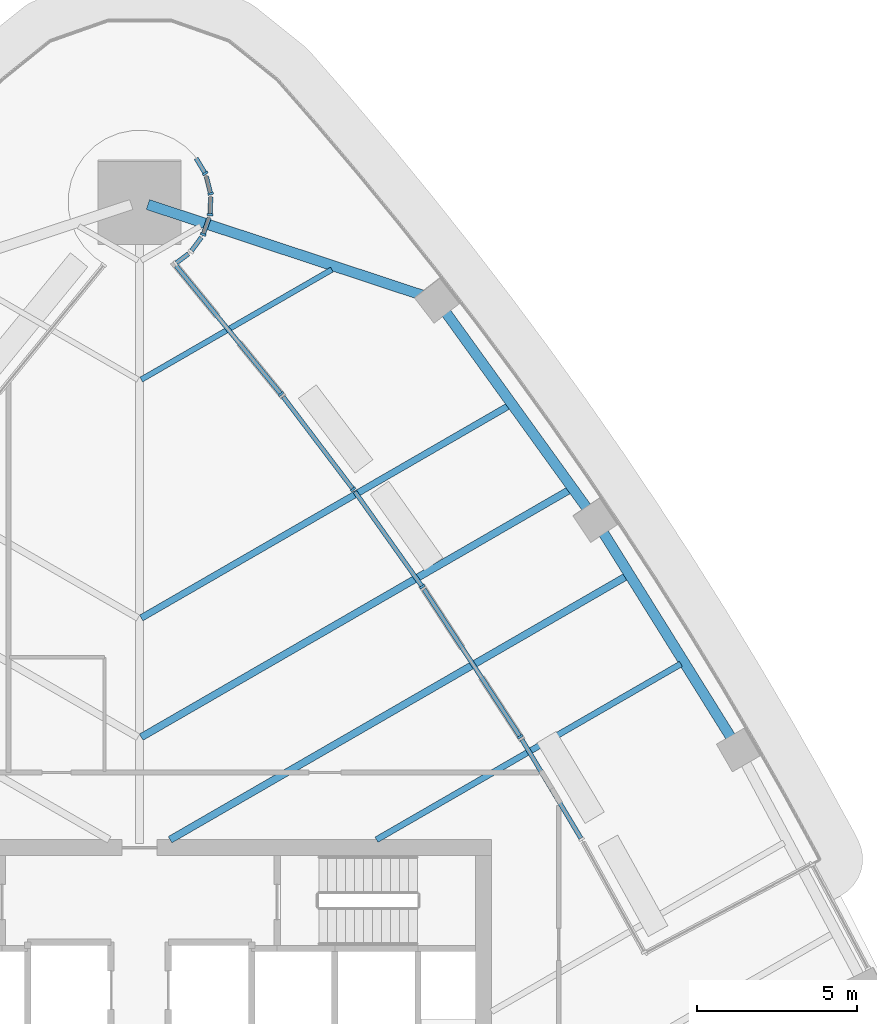
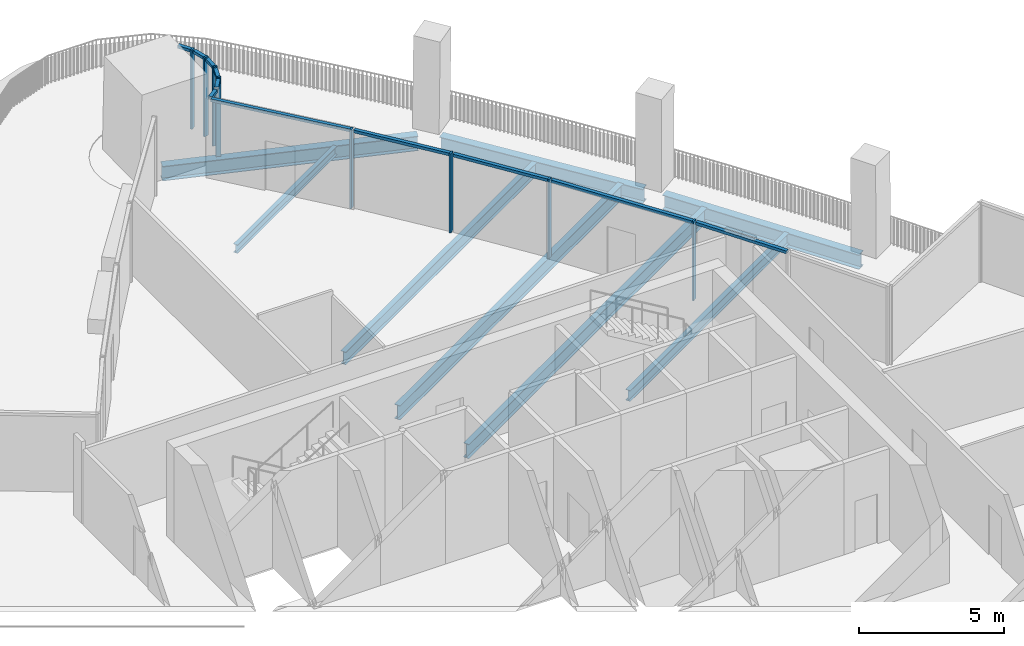
# One storey, part 7 of 21: 19 members, 8 beams, 11 elements without a shape of their own.
"""IFC4 building model written with IfcOpenShell, lengths in metres."""

from ifc_helpers import new_model, si_unit, direction, frame, origin, origin_2d, place, context, subcontext, project, spatial, rectangle, i_section, extrude, material, layer, layer_set, material_profile, profile_set, type_object, element, aggregate, save


model = new_model("IFC4")

# Units and contexts
model_context = context("Model", 3, precision=1e-05, world=origin(), true_north=direction((0.0, 1.0)))
body_context = subcontext(model_context, "Body", "Model", "MODEL_VIEW")
ifc_project = project(units=[si_unit("LENGTHUNIT", "METRE"), si_unit("AREAUNIT", "SQUARE_METRE"), si_unit("VOLUMEUNIT", "CUBIC_METRE"), si_unit("PLANEANGLEUNIT", "RADIAN"), si_unit("MASSUNIT", "GRAM", prefix="KILO")], contexts=[model_context])

# Site, building, storey
site_placement = place(None, origin())
site = spatial("IfcSite", under=ifc_project, at=site_placement, CompositionType="ELEMENT")
building_placement = place(site_placement, origin())
building = spatial("IfcBuilding", under=site, at=building_placement, Name="Sierra Prisma Convention Tower", CompositionType="ELEMENT")
storey_placement = place(building_placement, frame((0.0, 0.0, 157.800048828125)))
storey = spatial("IfcBuildingStorey", under=building, at=storey_placement, Name="L34", CompositionType="ELEMENT", Elevation=157.800048828125)

# Curtain wall, member
ifc_material_1 = material(Name="Aluminium and glass curtain wall", Category="aluminium")
ifc_layer = layer(ifc_material_1, 0.179931640625)
ifc_layer_set = layer_set([ifc_layer], Name="CW-6 Terrace recess curtain wall")
curtain_wall_type = type_object("IfcCurtainWallType", Name="CW-6 Terrace recess curtain wall", PredefinedType="NOTDEFINED", material=ifc_layer_set)
curtain_wall_1_placement = place(storey_placement, origin())
curtain_wall_1 = element("IfcCurtainWall", 1, at=curtain_wall_1_placement, inside=storey, type_object=curtain_wall_type, Name="CW-6 R3 L34", PredefinedType="NOTDEFINED")
ifc_material_2 = material(Name="Aluminium 6063-T6 bronze anodised", Category="aluminium")
ifc_material_profile_1 = material_profile(ifc_material_2, rectangle(XDim=0.179931640625, YDim=0.070068359375, at=origin_2d()), Name="ALU MULLION 70x180")
ifc_profile_set_1 = profile_set([ifc_material_profile_1], Name="Aluminium 6063-T6 bronze anodised")
member_type_1 = type_object("IfcMemberType", Name="CW mullion bronze", PredefinedType="MULLION", material=ifc_profile_set_1)
member_1_placement = place(storey_placement, frame((11.894287109375, 11.21826171875, 0.0), z_axis=(0.0, 0.0, 1.0), x_axis=(-0.83758776074, -0.546302794298, 0.0)))
member_1 = element("IfcMember", 2, at=member_1_placement, type_object=member_type_1, Name="CW-6 mullion R3.1", PredefinedType="MULLION", context=body_context, shape_type="SweptSolid", body=[
    extrude(rectangle(XDim=0.179931640625, YDim=0.070068359375, at=origin_2d()), origin(), (0.0, 0.0, 1.0), 3.33984375),
])

curtain_wall_2_placement = place(storey_placement, origin())
curtain_wall_2 = element("IfcCurtainWall", 3, at=curtain_wall_2_placement, inside=storey, type_object=curtain_wall_type, Name="CW-6 R4 L34", PredefinedType="NOTDEFINED")
member_2_placement = place(storey_placement, frame((8.833740234375, 15.908447265625, 0.0), z_axis=(0.0, 0.0, 1.0), x_axis=(-0.81575582685, -0.578396430625, 0.0)))
member_2 = element("IfcMember", 4, at=member_2_placement, type_object=member_type_1, Name="CW-6 mullion R4.1", PredefinedType="MULLION", context=body_context, shape_type="SweptSolid", body=[
    extrude(rectangle(XDim=0.179931640625, YDim=0.070068359375, at=origin_2d()), origin(), (0.0, 0.0, 1.0), 3.33984375),
])

curtain_wall_3_placement = place(storey_placement, origin())
curtain_wall_3 = element("IfcCurtainWall", 5, at=curtain_wall_3_placement, inside=storey, type_object=curtain_wall_type, Name="CW-6 R5 L34", PredefinedType="NOTDEFINED")
member_3_placement = place(storey_placement, frame((6.673095703125, 18.95361328125, 0.0), z_axis=(0.0, 0.0, 1.0), x_axis=(-0.79740372503, -0.603446185925, 0.0)))
member_3 = element("IfcMember", 6, at=member_3_placement, type_object=member_type_1, Name="CW-6 mullion R5.1", PredefinedType="MULLION", context=body_context, shape_type="SweptSolid", body=[
    extrude(rectangle(XDim=0.179931640625, YDim=0.070068359375, at=origin_2d()), origin(), (0.0, 0.0, 1.0), 3.33984375),
])

curtain_wall_4_placement = place(storey_placement, origin())
curtain_wall_4 = element("IfcCurtainWall", 7, at=curtain_wall_4_placement, inside=storey, type_object=curtain_wall_type, Name="CW-6 R6 L34", PredefinedType="NOTDEFINED")
member_4_placement = place(storey_placement, frame((4.4189453125, 21.93017578125, 0.0), z_axis=(0.0, 0.0, 1.0), x_axis=(-0.773979444957, -0.633210722259, 0.0)))
member_4 = element("IfcMember", 8, at=member_4_placement, type_object=member_type_1, Name="CW-6 mullion R6.1", PredefinedType="MULLION", context=body_context, shape_type="SweptSolid", body=[
    extrude(rectangle(XDim=0.179931640625, YDim=0.070068359375, at=origin_2d()), origin(), (0.0, 0.0, 1.0), 3.33984375),
])

curtain_wall_5_placement = place(storey_placement, origin())
curtain_wall_5 = element("IfcCurtainWall", 9, at=curtain_wall_5_placement, inside=storey, type_object=curtain_wall_type, Name="CW-6 R9 L34", PredefinedType="NOTDEFINED")
member_5_placement = place(storey_placement, frame((1.98583984375, 26.9169921875, 0.0), z_axis=(0.0, 0.0, 1.0), x_axis=(-0.941544065183, 0.336889853392, 0.0)))
member_5 = element("IfcMember", 10, at=member_5_placement, type_object=member_type_1, Name="CW-6 mullion R9.1", PredefinedType="MULLION", context=body_context, shape_type="SweptSolid", body=[
    extrude(rectangle(XDim=0.179931640625, YDim=0.070068359375, at=origin_2d()), origin(), (0.0, 0.0, 1.0), 3.33984375),
])

curtain_wall_6_placement = place(storey_placement, origin())
curtain_wall_6 = element("IfcCurtainWall", 11, at=curtain_wall_6_placement, inside=storey, type_object=curtain_wall_type, Name="CW-6 R10 L34", PredefinedType="NOTDEFINED")
member_6_placement = place(storey_placement, frame((2.197265625, 27.53759765625, 0.0), z_axis=(0.0, 0.0, 1.0), x_axis=(-0.998795456205, 0.049067674327, 0.0)))
member_6 = element("IfcMember", 12, at=member_6_placement, type_object=member_type_1, Name="CW-6 mullion R10.1", PredefinedType="MULLION", context=body_context, shape_type="SweptSolid", body=[
    extrude(rectangle(XDim=0.179931640625, YDim=0.070068359375, at=origin_2d()), origin(), (0.0, 0.0, 1.0), 3.33984375),
])

curtain_wall_7_placement = place(storey_placement, origin())
curtain_wall_7 = element("IfcCurtainWall", 13, at=curtain_wall_7_placement, inside=storey, type_object=curtain_wall_type, Name="CW-6 R11 L34", PredefinedType="NOTDEFINED")
member_7_placement = place(storey_placement, frame((2.21923828125, 28.192626953125, 0.0), z_axis=(0.0, 0.0, 1.0), x_axis=(-0.970031253195, -0.242980179903, 0.0)))
member_7 = element("IfcMember", 14, at=member_7_placement, type_object=member_type_1, Name="CW-6 mullion R11.1", PredefinedType="MULLION", context=body_context, shape_type="SweptSolid", body=[
    extrude(rectangle(XDim=0.179931640625, YDim=0.070068359375, at=origin_2d()), origin(), (0.0, 0.0, 1.0), 3.33984375),
])

curtain_wall_8_placement = place(storey_placement, origin())
curtain_wall_8 = element("IfcCurtainWall", 15, at=curtain_wall_8_placement, inside=storey, type_object=curtain_wall_type, Name="CW-6 R12 L34", PredefinedType="NOTDEFINED")
member_8_placement = place(storey_placement, frame((2.050048828125, 28.825927734375, 0.0), z_axis=(0.0, 0.0, 1.0), x_axis=(-0.85772861, -0.514102744193, 0.0)))
member_8 = element("IfcMember", 16, at=member_8_placement, type_object=member_type_1, Name="CW-6 mullion R12.1", PredefinedType="MULLION", context=body_context, shape_type="SweptSolid", body=[
    extrude(rectangle(XDim=0.179931640625, YDim=0.070068359375, at=origin_2d()), origin(), (0.0, 0.0, 1.0), 3.33984375),
])

curtain_wall_9_placement = place(storey_placement, origin())
curtain_wall_9 = element("IfcCurtainWall", 17, at=curtain_wall_9_placement, inside=storey, type_object=curtain_wall_type, Name="CW-6 R2 L34", PredefinedType="NOTDEFINED")
ifc_material_3 = material(Name="Aluminium 6063-T6 bronze anodised", Category="aluminium")
ifc_material_profile_2 = material_profile(ifc_material_3, rectangle(XDim=0.139892578125, YDim=0.1201171875, at=origin_2d()), Name="ALU TRANSOM 120x140")
ifc_profile_set_2 = profile_set([ifc_material_profile_2], Name="Aluminium 6063-T6 bronze anodised")
member_type_2 = type_object("IfcMemberType", Name="CW transom bronze", PredefinedType="USERDEFINED", material=ifc_profile_set_2)
member_9_placement = place(storey_placement, frame((13.79443359375, 8.044921875, 3.280029296875), z_axis=(-0.513386382789, 0.858157574089, 0.0), x_axis=(-0.858157574089, -0.513386382789, 0.0)))
member_9 = element("IfcMember", 18, at=member_9_placement, type_object=member_type_2, Name="CW-6 transom R2.1", ObjectType="TRANSOM", PredefinedType="USERDEFINED", context=body_context, shape_type="SweptSolid", body=[
    extrude(rectangle(XDim=0.139892578125, YDim=0.1201171875, at=origin_2d()), origin(), (0.0, 0.0, 1.0), 3.59375),
])
aggregate(curtain_wall_9, [member_9])

# Member
member_10_placement = place(storey_placement, frame((11.875244140625, 11.247802734375, 3.280029296875), z_axis=(-0.546325061674, 0.83757323679, 0.0), x_axis=(-0.83757323679, -0.546325061674, 0.0)))
member_10 = element("IfcMember", 19, at=member_10_placement, type_object=member_type_2, Name="CW-6 transom R3.1", ObjectType="TRANSOM", PredefinedType="USERDEFINED", context=body_context, shape_type="SweptSolid", body=[
    extrude(rectangle(XDim=0.139892578125, YDim=0.1201171875, at=origin_2d()), origin(), (0.0, 0.0, 1.0), 5.46044921875),
])

aggregate(curtain_wall_1, [member_1, member_10])

member_11_placement = place(storey_placement, frame((8.8134765625, 15.93701171875, 3.280029296875), z_axis=(-0.578394256624, 0.815757368281, 0.0), x_axis=(-0.815757368281, -0.578394256624, 0.0)))
member_11 = element("IfcMember", 20, at=member_11_placement, type_object=member_type_2, Name="CW-6 transom R4.1", ObjectType="TRANSOM", PredefinedType="USERDEFINED", context=body_context, shape_type="SweptSolid", body=[
    extrude(rectangle(XDim=0.139892578125, YDim=0.1201171875, at=origin_2d()), origin(), (0.0, 0.0, 1.0), 3.59375),
])

aggregate(curtain_wall_2, [member_2, member_11])

member_12_placement = place(storey_placement, frame((6.652099609375, 18.9814453125, 3.280029296875), z_axis=(-0.603450842335, 0.797400201207, 0.0), x_axis=(-0.797400201207, -0.603450842335, 0.0)))
member_12 = element("IfcMember", 21, at=member_12_placement, type_object=member_type_2, Name="CW-6 transom R5.1", ObjectType="TRANSOM", PredefinedType="USERDEFINED", context=body_context, shape_type="SweptSolid", body=[
    extrude(rectangle(XDim=0.139892578125, YDim=0.1201171875, at=origin_2d()), origin(), (0.0, 0.0, 1.0), 3.59375),
])

aggregate(curtain_wall_3, [member_3, member_12])

member_13_placement = place(storey_placement, frame((4.39697265625, 21.95703125, 3.280029296875), z_axis=(-0.633217101794, 0.773974225666, 0.0), x_axis=(-0.773974225666, -0.633217101794, 0.0)))
member_13 = element("IfcMember", 22, at=member_13_placement, type_object=member_type_2, Name="CW-6 transom R6.1", ObjectType="TRANSOM", PredefinedType="USERDEFINED", context=body_context, shape_type="SweptSolid", body=[
    extrude(rectangle(XDim=0.139892578125, YDim=0.1201171875, at=origin_2d()), origin(), (0.0, 0.0, 1.0), 5.14111328125),
])

aggregate(curtain_wall_4, [member_4, member_13])

# Curtain wall, member
curtain_wall_10_placement = place(storey_placement, origin())
curtain_wall_10 = element("IfcCurtainWall", 23, at=curtain_wall_10_placement, inside=storey, type_object=curtain_wall_type, Name="CW-6 R7 L34", PredefinedType="NOTDEFINED")
member_14_placement = place(storey_placement, frame((1.153076171875, 26.032470703125, 3.280029296875), z_axis=(0.79855810202, 0.601917733332, 0.0), x_axis=(-0.601917733332, 0.79855810202, 0.0)))
member_14 = element("IfcMember", 24, at=member_14_placement, type_object=member_type_2, Name="CW-6 transom R7.1", ObjectType="TRANSOM", PredefinedType="USERDEFINED", context=body_context, shape_type="SweptSolid", body=[
    extrude(rectangle(XDim=0.139892578125, YDim=0.1201171875, at=origin_2d()), origin(), (0.0, 0.0, 1.0), 0.468017578125),
])
aggregate(curtain_wall_10, [member_14])

curtain_wall_11_placement = place(storey_placement, origin())
curtain_wall_11 = element("IfcCurtainWall", 25, at=curtain_wall_11_placement, inside=storey, type_object=curtain_wall_type, Name="CW-6 R8 L34", PredefinedType="NOTDEFINED")
member_15_placement = place(storey_placement, frame((1.62451171875, 26.41259765625, 3.280029296875), z_axis=(0.595532454461, 0.803331249039, 0.0), x_axis=(-0.803331249039, 0.595532454461, 0.0)))
member_15 = element("IfcMember", 26, at=member_15_placement, type_object=member_type_2, Name="CW-6 transom R8.1", ObjectType="TRANSOM", PredefinedType="USERDEFINED", context=body_context, shape_type="SweptSolid", body=[
    extrude(rectangle(XDim=0.139892578125, YDim=0.1201171875, at=origin_2d()), origin(), (0.0, 0.0, 1.0), 0.516845703125),
])
aggregate(curtain_wall_11, [member_15])

# Member
member_16_placement = place(storey_placement, frame((1.997802734375, 26.949951171875, 3.280029296875), z_axis=(0.336695347886, 0.941613637705, 0.0), x_axis=(-0.941613637705, 0.336695347886, 0.0)))
member_16 = element("IfcMember", 27, at=member_16_placement, type_object=member_type_2, Name="CW-6 transom R9.1", ObjectType="TRANSOM", PredefinedType="USERDEFINED", context=body_context, shape_type="SweptSolid", body=[
    extrude(rectangle(XDim=0.139892578125, YDim=0.1201171875, at=origin_2d()), origin(), (0.0, 0.0, 1.0), 0.51708984375),
])

aggregate(curtain_wall_5, [member_5, member_16])

member_17_placement = place(storey_placement, frame((2.198974609375, 27.572509765625, 3.280029296875), z_axis=(0.049113236195, 0.998793216852, 0.0), x_axis=(-0.998793216852, 0.049113236195, 0.0)))
member_17 = element("IfcMember", 28, at=member_17_placement, type_object=member_type_2, Name="CW-6 transom R10.1", ObjectType="TRANSOM", PredefinedType="USERDEFINED", context=body_context, shape_type="SweptSolid", body=[
    extrude(rectangle(XDim=0.139892578125, YDim=0.1201171875, at=origin_2d()), origin(), (0.0, 0.0, 1.0), 0.51708984375),
])

aggregate(curtain_wall_6, [member_6, member_17])

member_18_placement = place(storey_placement, frame((2.210693359375, 28.2265625, 3.280029296875), z_axis=(-0.242757873534, 0.970086910971, 0.0), x_axis=(-0.970086910971, -0.242757873534, 0.0)))
member_18 = element("IfcMember", 29, at=member_18_placement, type_object=member_type_2, Name="CW-6 transom R11.1", ObjectType="TRANSOM", PredefinedType="USERDEFINED", context=body_context, shape_type="SweptSolid", body=[
    extrude(rectangle(XDim=0.139892578125, YDim=0.1201171875, at=origin_2d()), origin(), (0.0, 0.0, 1.0), 0.516845703125),
])

aggregate(curtain_wall_7, [member_7, member_18])

member_19_placement = place(storey_placement, frame((2.031982421875, 28.85595703125, 3.280029296875), z_axis=(-0.5139399165, 0.857826184158, 0.0), x_axis=(-0.857826184158, -0.5139399165, 0.0)))
member_19 = element("IfcMember", 30, at=member_19_placement, type_object=member_type_2, Name="CW-6 transom R12.1", ObjectType="TRANSOM", PredefinedType="USERDEFINED", context=body_context, shape_type="SweptSolid", body=[
    extrude(rectangle(XDim=0.139892578125, YDim=0.1201171875, at=origin_2d()), origin(), (0.0, 0.0, 1.0), 0.516845703125),
])

aggregate(curtain_wall_8, [member_8, member_19])

# Beams
ifc_material_4 = material(Name="Steel ASTM A992 Gr 50", Category="steel")
ifc_material_profile_3 = material_profile(ifc_material_4, i_section(OverallWidth=0.172119140625, OverallDepth=0.35791015625, WebThickness=0.0078125, FlangeThickness=0.01318359375, at=origin_2d()), Name="W360x57")
ifc_profile_set_3 = profile_set([ifc_material_profile_3], Name="Steel ASTM A992 Gr 50")
beam_type_1 = type_object("IfcBeamType", Name="Floor joist W360x57", PredefinedType="JOIST", material=ifc_profile_set_3)
beam_1_placement = place(storey_placement, frame((6.009765625, 25.821044921875, -0.47900390625), z_axis=(-0.866040235429, -0.499974309957, 0.0), x_axis=(0.499974309957, -0.866040235429, 0.0)))
element("IfcBeam", 31, at=beam_1_placement, inside=storey, type_object=beam_type_1, Name="Floor joist L34 NE14", PredefinedType="JOIST", context=body_context, shape_type="SweptSolid", body=[
    extrude(i_section(OverallWidth=0.172119140625, OverallDepth=0.35791015625, WebThickness=0.0078125, FlangeThickness=0.01318359375, at=origin_2d()), origin(), (0.0, 0.0, 1.0), 6.880615234375),
])
ifc_material_5 = material(Name="Steel ASTM A992 Gr 50", Category="steel")
ifc_material_profile_4 = material_profile(ifc_material_5, i_section(OverallWidth=0.18994140625, OverallDepth=0.45703125, WebThickness=0.009033203125, FlangeThickness=0.014404296875, at=origin_2d()), Name="W460x74")
ifc_profile_set_4 = profile_set([ifc_material_profile_4], Name="Steel ASTM A992 Gr 50")
beam_type_2 = type_object("IfcBeamType", Name="Floor joist W460x74", PredefinedType="JOIST", material=ifc_profile_set_4)
beam_2_placement = place(storey_placement, frame((16.9189453125, 13.493408203125, -0.528564453125), z_axis=(-0.866026096967, -0.49999879937, 0.0), x_axis=(0.49999879937, -0.866026096967, 0.0)))
element("IfcBeam", 32, at=beam_2_placement, inside=storey, type_object=beam_type_2, Name="Floor joist L34 NE09", PredefinedType="JOIST", context=body_context, shape_type="SweptSolid", body=[
    extrude(i_section(OverallWidth=0.18994140625, OverallDepth=0.45703125, WebThickness=0.009033203125, FlangeThickness=0.014404296875, at=origin_2d()), origin(), (0.0, 0.0, 1.0), 10.98681640625),
])
ifc_material_6 = material(Name="Steel ASTM A992 Gr 50", Category="steel")
ifc_material_profile_5 = material_profile(ifc_material_6, i_section(OverallWidth=0.208984375, OverallDepth=0.532958984375, WebThickness=0.01025390625, FlangeThickness=0.015625, at=origin_2d()), Name="W530x92")
ifc_profile_set_5 = profile_set([ifc_material_profile_5], Name="Steel ASTM A992 Gr 50")
beam_type_3 = type_object("IfcBeamType", Name="Floor joist W530x92", PredefinedType="JOIST", material=ifc_profile_set_5)
beam_3_placement = place(storey_placement, frame((11.536865234375, 21.561767578125, -0.566650390625), z_axis=(-0.866022200449, -0.500005548298, 0.0), x_axis=(0.500005548298, -0.866022200449, 0.0)))
element("IfcBeam", 33, at=beam_3_placement, inside=storey, type_object=beam_type_3, Name="Floor joist L34 NE12", PredefinedType="JOIST", context=body_context, shape_type="SweptSolid", body=[
    extrude(i_section(OverallWidth=0.208984375, OverallDepth=0.532958984375, WebThickness=0.01025390625, FlangeThickness=0.015625, at=origin_2d()), origin(), (0.0, 0.0, 1.0), 13.262939453125),
])
ifc_material_7 = material(Name="Steel ASTM A992 Gr 50", Category="steel")
ifc_material_profile_6 = material_profile(ifc_material_7, i_section(OverallWidth=0.22802734375, OverallDepth=0.60302734375, WebThickness=0.010498046875, FlangeThickness=0.014892578125, at=origin_2d()), Name="W610x101")
ifc_profile_set_6 = profile_set([ifc_material_profile_6], Name="Steel ASTM A992 Gr 50")
beam_type_4 = type_object("IfcBeamType", Name="Floor joist W610x101", PredefinedType="JOIST", material=ifc_profile_set_6)
beam_4_placement = place(storey_placement, frame((15.211669921875, 16.23291015625, -0.6015625), z_axis=(-0.866024598176, -0.500001395352, 0.0), x_axis=(0.500001395352, -0.866024598176, 0.0)))
element("IfcBeam", 34, at=beam_4_placement, inside=storey, type_object=beam_type_4, Name="Floor joist L34 NE10", PredefinedType="JOIST", context=body_context, shape_type="SweptSolid", body=[
    extrude(i_section(OverallWidth=0.22802734375, OverallDepth=0.60302734375, WebThickness=0.010498046875, FlangeThickness=0.014892578125, at=origin_2d()), origin(), (0.0, 0.0, 1.0), 16.4658203125),
])
beam_5_placement = place(storey_placement, frame((13.432861328125, 18.93115234375, -0.6015625), z_axis=(-0.866027458302, -0.499996441454, 0.0), x_axis=(0.499996441454, -0.866027458302, 0.0)))
element("IfcBeam", 35, at=beam_5_placement, inside=storey, type_object=beam_type_4, Name="Floor joist L34 NE11", PredefinedType="JOIST", context=body_context, shape_type="SweptSolid", body=[
    extrude(i_section(OverallWidth=0.22802734375, OverallDepth=0.60302734375, WebThickness=0.010498046875, FlangeThickness=0.014892578125, at=origin_2d()), origin(), (0.0, 0.0, 1.0), 15.4521484375),
])
ifc_material_8 = material(Name="Steel ASTM A992 Gr 50", Category="steel")
ifc_material_profile_7 = material_profile(ifc_material_8, i_section(OverallWidth=0.324951171875, OverallDepth=0.615966796875, WebThickness=0.013916015625, FlangeThickness=0.021484375, at=origin_2d()), Name="W610x174")
ifc_profile_set_7 = profile_set([ifc_material_profile_7], Name="Steel ASTM A992 Gr 50")
beam_type_5 = type_object("IfcBeamType", Name="Spandrel beam W610x174", PredefinedType="BEAM", material=ifc_profile_set_7)
for number, where, z_axis, x_axis, name in (
    (36, (18.5224609375, 11.1328125, -0.608154296875), (-0.52887106515, 0.8487021836, 0.0), (-0.8487021836, -0.52887106515, 0.0), "Spandrel L34-10"),
    (37, (14.0224609375, 18.305908203125, -0.608154296875), (-0.584714330487, 0.811239269096, 0.0), (-0.811239269096, -0.584714330487, 0.0), "Spandrel L34-11"),
):
    element("IfcBeam", number, at=place(storey_placement, frame(where, z_axis=z_axis, x_axis=x_axis)), inside=storey, type_object=beam_type_5, Name=name, PredefinedType="BEAM", context=body_context, shape_type="SweptSolid", body=[
        extrude(i_section(OverallWidth=0.324951171875, OverallDepth=0.615966796875, WebThickness=0.013916015625, FlangeThickness=0.021484375, at=origin_2d()), origin(), (0.0, 0.0, 1.0), 7.708251953125),
    ])
beam_6_placement = place(storey_placement, frame((8.83447265625, 25.019287109375, -0.608154296875), z_axis=(-0.949483168443, 0.313817961313, 0.0), x_axis=(-0.313817961313, -0.949483168443, 0.0)))
element("IfcBeam", 38, at=beam_6_placement, inside=storey, type_object=beam_type_5, Name="Spandrel L34-12", PredefinedType="BEAM", context=body_context, shape_type="SweptSolid", body=[
    extrude(i_section(OverallWidth=0.324951171875, OverallDepth=0.615966796875, WebThickness=0.013916015625, FlangeThickness=0.021484375, at=origin_2d()), origin(), (0.0, 0.0, 1.0), 9.03076171875),
])

save(model, "model.ifc")
